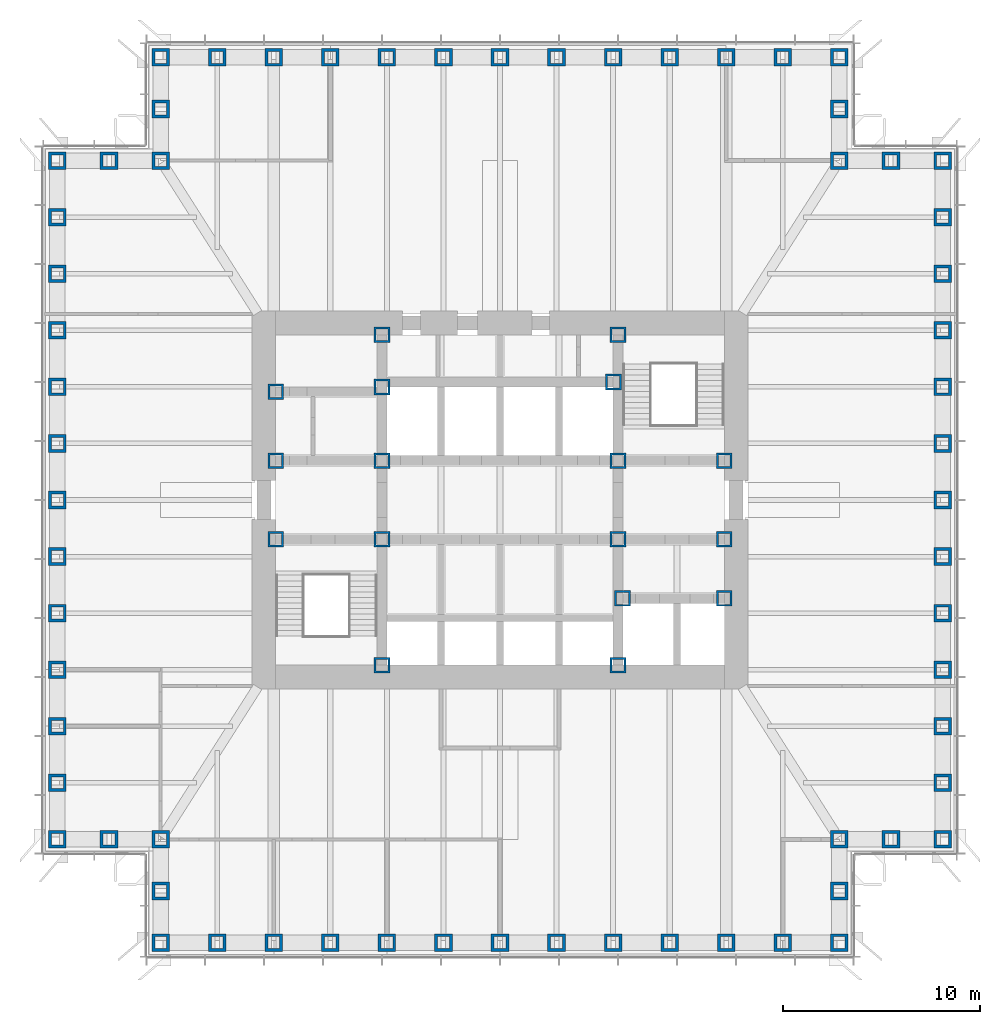
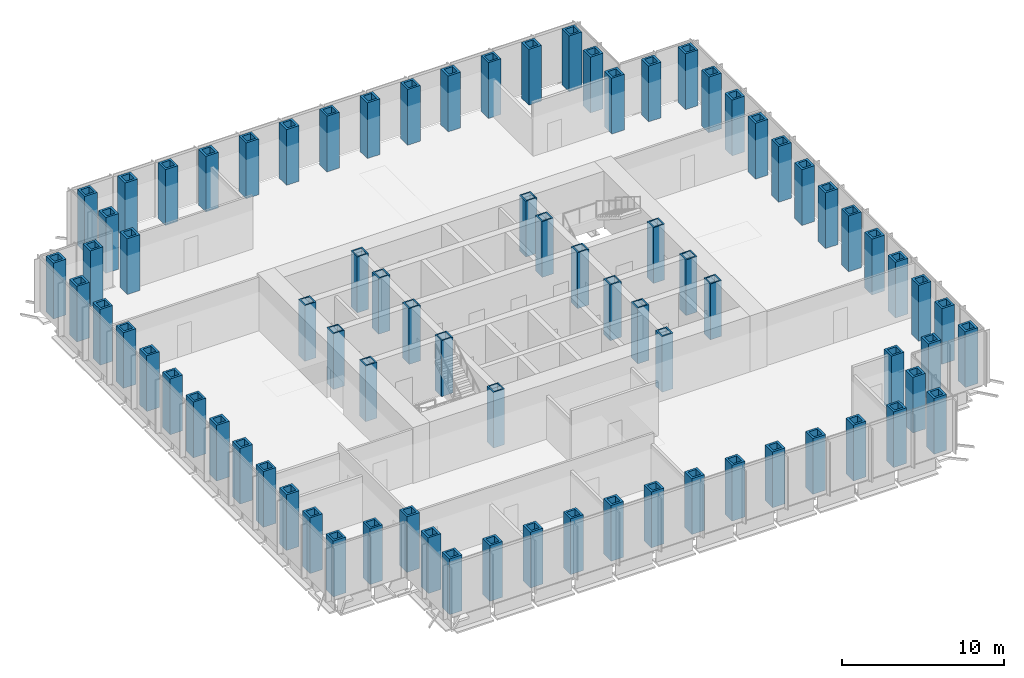
# One storey, part 1 of 17: 81 columns.
"""IFC4 building model written with IfcOpenShell, lengths in metres."""

from ifc_helpers import new_model, si_unit, direction, frame, origin, origin_2d, place, context, subcontext, project, spatial, hollow_rectangle, extrude, material, material_profile, profile_set, type_object, element, save


model = new_model("IFC4")

# Units and contexts
model_context = context("Model", 3, precision=1e-05, world=origin(), true_north=direction((0.0, 1.0)))
body_context = subcontext(model_context, "Body", "Model", "MODEL_VIEW")
ifc_project = project(units=[si_unit("LENGTHUNIT", "METRE"), si_unit("AREAUNIT", "SQUARE_METRE"), si_unit("VOLUMEUNIT", "CUBIC_METRE"), si_unit("PLANEANGLEUNIT", "RADIAN"), si_unit("MASSUNIT", "GRAM", prefix="KILO")], contexts=[model_context])

# Site, building, storey
site_placement = place(None, origin())
site = spatial("IfcSite", under=ifc_project, at=site_placement, CompositionType="ELEMENT")
building_placement = place(site_placement, origin())
building = spatial("IfcBuilding", under=site, at=building_placement, Name="Daluyong Arena Tower", CompositionType="ELEMENT")
storey_placement = place(building_placement, frame((0.0, 0.0, 112.300048828125)))
storey = spatial("IfcBuildingStorey", under=building, at=storey_placement, Name="L24", CompositionType="ELEMENT", Elevation=112.300048828125)

# Columns
ifc_material_1 = material(Name="Steel ASTM A572 Grade 50", Category="steel")
ifc_material_profile_1 = material_profile(ifc_material_1, hollow_rectangle(XDim=0.800048828125, YDim=0.800048828125, WallThickness=0.1, at=origin_2d()))
ifc_profile_set_1 = profile_set([ifc_material_profile_1], Name="Steel ASTM A572 Grade 50")
column_type_1 = type_object("IfcColumnType", Name="Core boundary column BX800X100", PredefinedType="COLUMN", material=ifc_profile_set_1)
for number, where, z_axis, x_axis, name in (
    (1, (44.60009765625, 78.0, 0.0), (0.0, 0.0, 1.0), (1.0, 0.0, 0.0), "core boundary column BC2"),
    (2, (44.60009765625, 82.0, 0.0), (0.0, 0.0, 1.0), (1.0, 0.0, 0.0), "core boundary column BC2"),
    (3, (44.60009765625, 85.5, 0.0), (0.0, 0.0, 1.0), (1.0, 0.0, 0.0), "core boundary column BC2"),
    (4, (50.0, 71.60009765625, 0.0), (0.0, 0.0, 1.0), (1.0, 0.0, 0.0), "core boundary column BC2"),
    (5, (50.0, 78.0, 0.0), (0.0, 0.0, 1.0), (1.0, 0.0, 0.0), "core boundary column BC2"),
    (6, (50.0, 82.0, 0.0), (0.0, 0.0, 1.0), (1.0, 0.0, 0.0), "core boundary column BC2"),
    (7, (50.0, 85.75, 0.0), (0.0, 0.0, 1.0), (1.0, 0.0, 0.0), "core boundary column BC2"),
    (8, (50.0, 88.39990234375, 0.0), (0.0, 0.0, 1.0), (1.0, 0.0, 0.0), "core boundary column BC2"),
    (9, (61.77490234375, 86.0, 0.0), (0.0, 0.0, 1.0), (1.0, 0.0, 0.0), "core boundary column BC2"),
    (10, (62.0, 71.60009765625, 0.0), (0.0, 0.0, 1.0), (1.0, 0.0, 0.0), "core boundary column BC2"),
    (11, (62.0, 78.0, 0.0), (0.0, 0.0, 1.0), (1.0, 0.0, 0.0), "core boundary column BC2"),
    (12, (62.0, 82.0, 0.0), (0.0, 0.0, 1.0), (1.0, 0.0, 0.0), "core boundary column BC2"),
    (13, (62.0, 88.39990234375, 0.0), (0.0, 0.0, 1.0), (1.0, 0.0, 0.0), "core boundary column BC2"),
    (14, (62.22509765625, 75.0, 0.0), (0.0, 0.0, 1.0), (1.0, 0.0, 0.0), "core boundary column BC2"),
    (15, (67.39990234375, 75.0, 0.0), (0.0, 0.0, 1.0), (1.0, 0.0, 0.0), "core boundary column BC2"),
    (16, (67.39990234375, 78.0, 0.0), (0.0, 0.0, 1.0), (1.0, 0.0, 0.0), "core boundary column BC2"),
    (17, (67.39990234375, 82.0, 0.0), (0.0, 0.0, 1.0), (1.0, 0.0, 0.0), "core boundary column BC2"),
):
    element("IfcColumn", number, at=place(storey_placement, frame(where, z_axis=z_axis, x_axis=x_axis)), inside=storey, type_object=column_type_1, Name=name, PredefinedType="COLUMN", context=body_context, shape_type="SweptSolid", body=[
        extrude(hollow_rectangle(XDim=0.800048828125, YDim=0.800048828125, WallThickness=0.1, at=origin_2d()), origin(), (0.0, 0.0, 1.0), 4.199951171875),
    ])
ifc_material_2 = material(Name="Steel ASTM A588 Grade 50", Category="steel")
ifc_material_profile_2 = material_profile(ifc_material_2, hollow_rectangle(XDim=0.89990234375, YDim=0.89990234375, WallThickness=0.15, at=origin_2d()))
ifc_profile_set_2 = profile_set([ifc_material_profile_2], Name="Steel ASTM A588 Grade 50")
column_type_2 = type_object("IfcColumnType", Name="Tube column BX900X150 BX900X150", PredefinedType="COLUMN", material=ifc_profile_set_2)
for number, where, z_axis, x_axis, name in (
    (18, (38.75, 57.5, 0.0), (0.0, 0.0, 1.0), (1.0, 0.0, 0.0), "tube column bx900x150 TC5"),
    (19, (41.625, 57.5, 0.0), (0.0, 0.0, 1.0), (1.0, 0.0, 0.0), "tube column bx900x150 TC5"),
    (20, (44.5, 57.5, 0.0), (0.0, 0.0, 1.0), (1.0, 0.0, 0.0), "tube column bx900x150 TC5"),
    (21, (47.375, 57.5, 0.0), (0.0, 0.0, 1.0), (1.0, 0.0, 0.0), "tube column bx900x150 TC5"),
    (22, (50.25, 57.5, 0.0), (0.0, 0.0, 1.0), (1.0, 0.0, 0.0), "tube column bx900x150 TC5"),
    (23, (53.125, 57.5, 0.0), (0.0, 0.0, 1.0), (1.0, 0.0, 0.0), "tube column bx900x150 TC5"),
    (24, (56.0, 57.5, 0.0), (0.0, 0.0, 1.0), (1.0, 0.0, 0.0), "tube column bx900x150 TC5"),
    (25, (58.875, 57.5, 0.0), (0.0, 0.0, 1.0), (1.0, 0.0, 0.0), "tube column bx900x150 TC5"),
    (26, (61.75, 57.5, 0.0), (0.0, 0.0, 1.0), (1.0, 0.0, 0.0), "tube column bx900x150 TC5"),
    (27, (64.625, 57.5, 0.0), (0.0, 0.0, 1.0), (1.0, 0.0, 0.0), "tube column bx900x150 TC5"),
    (28, (67.5, 57.5, 0.0), (0.0, 0.0, 1.0), (1.0, 0.0, 0.0), "tube column bx900x150 TC5"),
    (29, (70.375, 57.5, 0.0), (0.0, 0.0, 1.0), (1.0, 0.0, 0.0), "tube column bx900x150 TC5"),
    (30, (73.25, 57.5, 0.0), (0.0, 0.0, 1.0), (0.0, 1.0, 0.0), "tube column bx900x150 TC5"),
    (31, (73.25, 60.125, 0.0), (0.0, 0.0, 1.0), (0.0, 1.0, 0.0), "tube column bx900x150 TC5"),
    (32, (73.25, 62.75, 0.0), (0.0, 0.0, 1.0), (1.0, 0.0, 0.0), "tube column bx900x150 TC5"),
    (33, (75.875, 62.75, 0.0), (0.0, 0.0, 1.0), (1.0, 0.0, 0.0), "tube column bx900x150 TC5"),
    (34, (78.5, 62.75, 0.0), (0.0, 0.0, 1.0), (0.0, 1.0, 0.0), "tube column bx900x150 TC5"),
    (35, (78.5, 65.625, 0.0), (0.0, 0.0, 1.0), (0.0, 1.0, 0.0), "tube column bx900x150 TC5"),
    (36, (78.5, 68.5, 0.0), (0.0, 0.0, 1.0), (0.0, 1.0, 0.0), "tube column bx900x150 TC5"),
    (37, (78.5, 71.375, 0.0), (0.0, 0.0, 1.0), (0.0, 1.0, 0.0), "tube column bx900x150 TC5"),
    (38, (78.5, 74.25, 0.0), (0.0, 0.0, 1.0), (0.0, 1.0, 0.0), "tube column bx900x150 TC5"),
    (39, (78.5, 77.125, 0.0), (0.0, 0.0, 1.0), (0.0, 1.0, 0.0), "tube column bx900x150 TC5"),
    (40, (78.5, 80.0, 0.0), (0.0, 0.0, 1.0), (0.0, 1.0, 0.0), "tube column bx900x150 TC5"),
    (41, (78.5, 82.875, 0.0), (0.0, 0.0, 1.0), (0.0, 1.0, 0.0), "tube column bx900x150 TC5"),
    (42, (78.5, 85.75, 0.0), (0.0, 0.0, 1.0), (0.0, 1.0, 0.0), "tube column bx900x150 TC5"),
    (43, (78.5, 88.625, 0.0), (0.0, 0.0, 1.0), (0.0, 1.0, 0.0), "tube column bx900x150 TC5"),
    (44, (78.5, 91.5, 0.0), (0.0, 0.0, 1.0), (0.0, 1.0, 0.0), "tube column bx900x150 TC5"),
    (45, (78.5, 94.375, 0.0), (0.0, 0.0, 1.0), (0.0, 1.0, 0.0), "tube column bx900x150 TC5"),
    (46, (78.5, 97.25, 0.0), (0.0, 0.0, 1.0), (1.0, 0.0, 0.0), "tube column bx900x150 TC5"),
    (47, (75.875, 97.25, 0.0), (0.0, 0.0, 1.0), (1.0, 0.0, 0.0), "tube column bx900x150 TC5"),
    (48, (73.25, 97.25, 0.0), (0.0, 0.0, 1.0), (0.0, 1.0, 0.0), "tube column bx900x150 TC5"),
    (49, (73.25, 99.875, 0.0), (0.0, 0.0, 1.0), (0.0, 1.0, 0.0), "tube column bx900x150 TC5"),
    (50, (73.25, 102.5, 0.0), (0.0, 0.0, 1.0), (1.0, 0.0, 0.0), "tube column bx900x150 TC5"),
    (51, (70.375, 102.5, 0.0), (0.0, 0.0, 1.0), (1.0, 0.0, 0.0), "tube column bx900x150 TC5"),
    (52, (67.5, 102.5, 0.0), (0.0, 0.0, 1.0), (1.0, 0.0, 0.0), "tube column bx900x150 TC5"),
    (53, (64.625, 102.5, 0.0), (0.0, 0.0, 1.0), (1.0, 0.0, 0.0), "tube column bx900x150 TC5"),
    (54, (61.75, 102.5, 0.0), (0.0, 0.0, 1.0), (1.0, 0.0, 0.0), "tube column bx900x150 TC5"),
    (55, (58.875, 102.5, 0.0), (0.0, 0.0, 1.0), (1.0, 0.0, 0.0), "tube column bx900x150 TC5"),
    (56, (56.0, 102.5, 0.0), (0.0, 0.0, 1.0), (1.0, 0.0, 0.0), "tube column bx900x150 TC5"),
    (57, (53.125, 102.5, 0.0), (0.0, 0.0, 1.0), (1.0, 0.0, 0.0), "tube column bx900x150 TC5"),
    (58, (50.25, 102.5, 0.0), (0.0, 0.0, 1.0), (1.0, 0.0, 0.0), "tube column bx900x150 TC5"),
    (59, (47.375, 102.5, 0.0), (0.0, 0.0, 1.0), (1.0, 0.0, 0.0), "tube column bx900x150 TC5"),
    (60, (44.5, 102.5, 0.0), (0.0, 0.0, 1.0), (1.0, 0.0, 0.0), "tube column bx900x150 TC5"),
    (61, (41.625, 102.5, 0.0), (0.0, 0.0, 1.0), (1.0, 0.0, 0.0), "tube column bx900x150 TC5"),
    (62, (38.75, 102.5, 0.0), (0.0, 0.0, 1.0), (0.0, 1.0, 0.0), "tube column bx900x150 TC5"),
    (63, (38.75, 99.875, 0.0), (0.0, 0.0, 1.0), (0.0, 1.0, 0.0), "tube column bx900x150 TC5"),
    (64, (38.75, 97.25, 0.0), (0.0, 0.0, 1.0), (1.0, 0.0, 0.0), "tube column bx900x150 TC5"),
    (65, (36.125, 97.25, 0.0), (0.0, 0.0, 1.0), (1.0, 0.0, 0.0), "tube column bx900x150 TC5"),
    (66, (33.5, 97.25, 0.0), (0.0, 0.0, 1.0), (0.0, 1.0, 0.0), "tube column bx900x150 TC5"),
    (67, (33.5, 94.375, 0.0), (0.0, 0.0, 1.0), (0.0, 1.0, 0.0), "tube column bx900x150 TC5"),
    (68, (33.5, 91.5, 0.0), (0.0, 0.0, 1.0), (0.0, 1.0, 0.0), "tube column bx900x150 TC5"),
    (69, (33.5, 88.625, 0.0), (0.0, 0.0, 1.0), (0.0, 1.0, 0.0), "tube column bx900x150 TC5"),
    (70, (33.5, 85.75, 0.0), (0.0, 0.0, 1.0), (0.0, 1.0, 0.0), "tube column bx900x150 TC5"),
    (71, (33.5, 82.875, 0.0), (0.0, 0.0, 1.0), (0.0, 1.0, 0.0), "tube column bx900x150 TC5"),
    (72, (33.5, 80.0, 0.0), (0.0, 0.0, 1.0), (0.0, 1.0, 0.0), "tube column bx900x150 TC5"),
    (73, (33.5, 77.125, 0.0), (0.0, 0.0, 1.0), (0.0, 1.0, 0.0), "tube column bx900x150 TC5"),
    (74, (33.5, 74.25, 0.0), (0.0, 0.0, 1.0), (0.0, 1.0, 0.0), "tube column bx900x150 TC5"),
    (75, (33.5, 71.375, 0.0), (0.0, 0.0, 1.0), (0.0, 1.0, 0.0), "tube column bx900x150 TC5"),
    (76, (33.5, 68.5, 0.0), (0.0, 0.0, 1.0), (0.0, 1.0, 0.0), "tube column bx900x150 TC5"),
    (77, (33.5, 65.625, 0.0), (0.0, 0.0, 1.0), (0.0, 1.0, 0.0), "tube column bx900x150 TC5"),
    (78, (33.5, 62.75, 0.0), (0.0, 0.0, 1.0), (1.0, 0.0, 0.0), "tube column bx900x150 TC5"),
    (79, (36.125, 62.75, 0.0), (0.0, 0.0, 1.0), (1.0, 0.0, 0.0), "tube column bx900x150 TC5"),
    (80, (38.75, 62.75, 0.0), (0.0, 0.0, 1.0), (0.0, 1.0, 0.0), "tube column bx900x150 TC5"),
    (81, (38.75, 60.125, 0.0), (0.0, 0.0, 1.0), (0.0, 1.0, 0.0), "tube column bx900x150 TC5"),
):
    element("IfcColumn", number, at=place(storey_placement, frame(where, z_axis=z_axis, x_axis=x_axis)), inside=storey, type_object=column_type_2, Name=name, PredefinedType="COLUMN", context=body_context, shape_type="SweptSolid", body=[
        extrude(hollow_rectangle(XDim=0.89990234375, YDim=0.89990234375, WallThickness=0.15, at=origin_2d()), origin(), (0.0, 0.0, 1.0), 4.199951171875),
    ])

save(model, "model.ifc")
